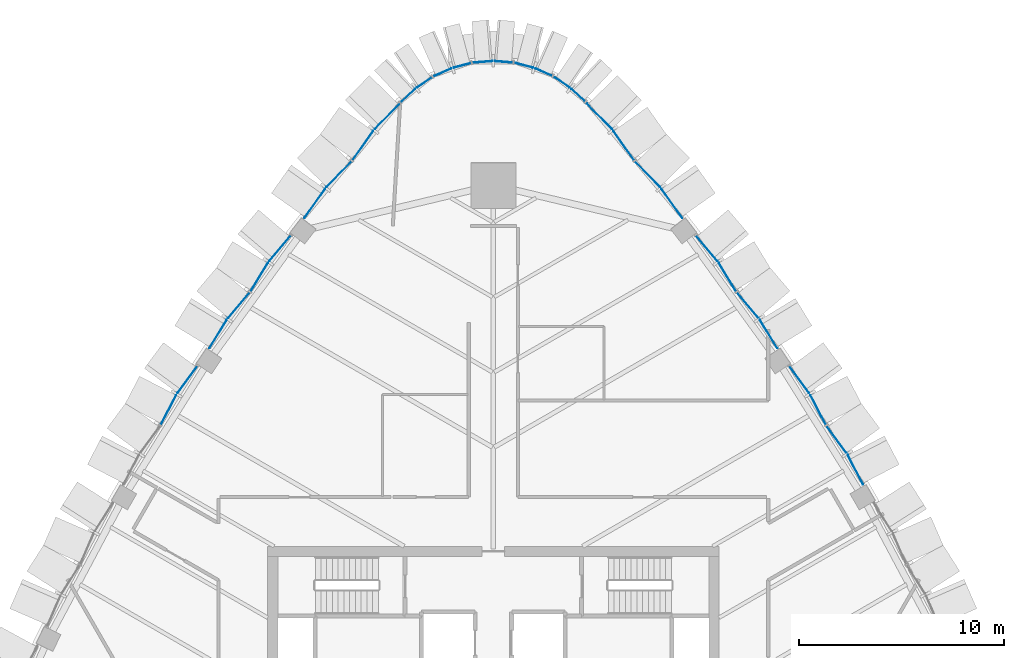
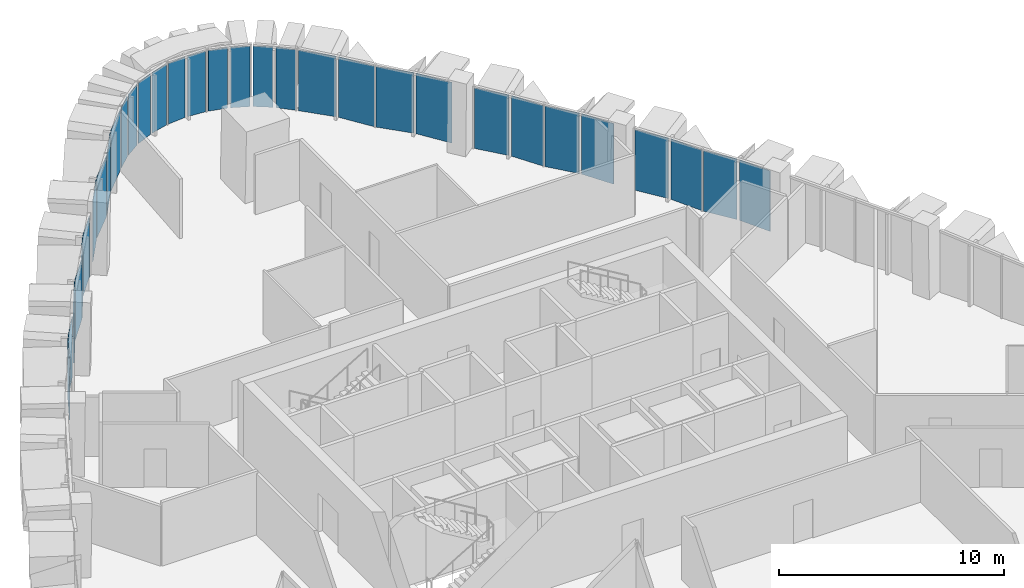
# One storey, part 11 of 19: 32 plates, 11 elements without a shape of their own.
"""IFC4 building model written with IfcOpenShell, lengths in metres."""

from ifc_helpers import new_model, si_unit, direction, frame, origin, place, context, subcontext, project, spatial, polyline, outline, extrude, material, layer, layer_set, type_object, element, aggregate, save


model = new_model("IFC4")

# Units and contexts
model_context = context("Model", 3, precision=1e-05, world=origin(), true_north=direction((0.0, 1.0)))
body_context = subcontext(model_context, "Body", "Model", "MODEL_VIEW")
ifc_project = project(units=[si_unit("LENGTHUNIT", "METRE"), si_unit("AREAUNIT", "SQUARE_METRE"), si_unit("VOLUMEUNIT", "CUBIC_METRE"), si_unit("PLANEANGLEUNIT", "RADIAN"), si_unit("MASSUNIT", "GRAM", prefix="KILO")], contexts=[model_context])

# Site, building, storey
site_placement = place(None, origin())
site = spatial("IfcSite", under=ifc_project, at=site_placement, CompositionType="ELEMENT")
building_placement = place(site_placement, origin())
building = spatial("IfcBuilding", under=site, at=building_placement, Name="Sierra Prisma Convention Tower", CompositionType="ELEMENT")
storey_placement = place(building_placement, frame((0.0, 0.0, 235.0)))
storey = spatial("IfcBuildingStorey", under=building, at=storey_placement, Name="L52", CompositionType="ELEMENT", Elevation=235.0)

# Curtain wall, plates
ifc_material_1 = material(Name="Aluminium and glass curtain wall", Category="aluminium")
ifc_layer_1 = layer(ifc_material_1, 0.179931640625)
ifc_layer_set_1 = layer_set([ifc_layer_1], Name="CW-2 Faceted crystal curtain wall")
curtain_wall_type = type_object("IfcCurtainWallType", Name="CW-2 Faceted crystal curtain wall", PredefinedType="NOTDEFINED", material=ifc_layer_set_1)
curtain_wall_1_placement = place(storey_placement, origin())
curtain_wall_1 = element("IfcCurtainWall", 1, at=curtain_wall_1_placement, inside=storey, type_object=curtain_wall_type, Name="CW-2 NE4 L52", PredefinedType="NOTDEFINED")
ifc_material_2 = material(Name="Tinted glass bronze-grey IGU", Category="glass")
ifc_layer_2 = layer(ifc_material_2, 0.028076171875)
ifc_layer_set_2 = layer_set([ifc_layer_2], Name="CW-2 crystal pane")
plate_type = type_object("IfcPlateType", Name="CW-2 crystal pane", PredefinedType="CURTAIN_PANEL", material=ifc_layer_set_2)
plate_1_placement = place(storey_placement, frame((18.038818359375, 11.014892578125, 0.0), z_axis=(0.887374269945, 0.461049785858, 0.0), x_axis=(-0.461049785858, 0.887374269945, 0.0)))
plate_1 = element("IfcPlate", 2, at=plate_1_placement, type_object=plate_type, Name="CW-2 pane NE4.1.1", PredefinedType="CURTAIN_PANEL", context=body_context, shape_type="SweptSolid", body=[
    extrude(outline(polyline([(0.0, 0.0), (1.6240747091580545, 0.0), (1.6240747091580545, 3.280029296875), (0.0, 3.280029296875), (0.0, 0.0)])), origin(), (0.0, 0.0, -1.0), 0.028076171875),
])
plate_2_placement = place(storey_placement, frame((16.25634765625, 13.872314453125, 0.0), z_axis=(0.804326061588, 0.594188174445, 0.0), x_axis=(0.594188174445, -0.804326061588, 0.0)))
plate_2 = element("IfcPlate", 3, at=plate_2_placement, type_object=plate_type, Name="CW-2 pane NE4.1.2", PredefinedType="CURTAIN_PANEL", context=body_context, shape_type="SweptSolid", body=[
    extrude(outline(polyline([(0.0, 0.0), (1.6242125510592422, 0.0), (1.6242125510592422, -3.280029296875), (0.0, -3.280029296875), (0.0, 0.0)])), origin(), (0.0, 0.0, -1.0), 0.028076171875),
])
plate_3_placement = place(storey_placement, frame((16.219482421875, 13.931640625, 0.0), z_axis=(0.887374269945, 0.461049785858, 0.0), x_axis=(-0.461049785858, 0.887374269945, 0.0)))
plate_3 = element("IfcPlate", 4, at=plate_3_placement, type_object=plate_type, Name="CW-2 pane NE4.2.1", PredefinedType="CURTAIN_PANEL", context=body_context, shape_type="SweptSolid", body=[
    extrude(outline(polyline([(0.0, 0.0), (1.6240747091580545, 0.0), (1.6240747091580545, 3.280029296875), (0.0, 3.280029296875), (0.0, 0.0)])), origin(), (0.0, 0.0, -1.0), 0.028076171875),
])
plate_4_placement = place(storey_placement, frame((14.43701171875, 16.7890625, 0.0), z_axis=(0.804326061588, 0.594188174445, 0.0), x_axis=(0.594188174445, -0.804326061588, 0.0)))
plate_4 = element("IfcPlate", 5, at=plate_4_placement, type_object=plate_type, Name="CW-2 pane NE4.2.2", PredefinedType="CURTAIN_PANEL", context=body_context, shape_type="SweptSolid", body=[
    extrude(outline(polyline([(0.0, 0.0), (1.6242125510592422, 0.0), (1.6242125510592422, -3.280029296875), (0.0, -3.280029296875), (0.0, 0.0)])), origin(), (0.0, 0.0, -1.0), 0.028076171875),
])
aggregate(curtain_wall_1, [plate_1, plate_2, plate_3, plate_4])

curtain_wall_2_placement = place(storey_placement, origin())
curtain_wall_2 = element("IfcCurtainWall", 6, at=curtain_wall_2_placement, inside=storey, type_object=curtain_wall_type, Name="CW-2 NE5 L52", PredefinedType="NOTDEFINED")
plate_5_placement = place(storey_placement, frame((13.850830078125, 17.661865234375, 0.0), z_axis=(0.853968060883, 0.52032542797, 0.0), x_axis=(-0.52032542797, 0.853968060883, 0.0)))
plate_5 = element("IfcPlate", 7, at=plate_5_placement, type_object=plate_type, Name="CW-2 pane NE5.1.1", PredefinedType="CURTAIN_PANEL", context=body_context, shape_type="SweptSolid", body=[
    extrude(outline(polyline([(0.0, 0.0), (1.6164200477509016, 0.0), (1.6164200477509016, 3.280029296875), (0.0, 3.280029296875), (0.0, 0.0)])), origin(), (0.0, 0.0, -1.0), 0.028076171875),
])
plate_6_placement = place(storey_placement, frame((11.886962890625, 20.37890625, 0.0), z_axis=(0.761957949876, 0.64762649932, 0.0), x_axis=(0.64762649932, -0.761957949876, 0.0)))
plate_6 = element("IfcPlate", 8, at=plate_6_placement, type_object=plate_type, Name="CW-2 pane NE5.1.2", PredefinedType="CURTAIN_PANEL", context=body_context, shape_type="SweptSolid", body=[
    extrude(outline(polyline([(0.0, 0.0), (1.6164795620620638, 0.0), (1.6164795620620638, -3.280029296875), (0.0, -3.280029296875), (0.0, 0.0)])), origin(), (0.0, 0.0, -1.0), 0.028076171875),
])
plate_7_placement = place(storey_placement, frame((11.845947265625, 20.435546875, 0.0), z_axis=(0.853900946696, 0.520435561075, 0.0), x_axis=(-0.520435561075, 0.853900946696, 0.0)))
plate_7 = element("IfcPlate", 9, at=plate_7_placement, type_object=plate_type, Name="CW-2 pane NE5.2.1", PredefinedType="CURTAIN_PANEL", context=body_context, shape_type="SweptSolid", body=[
    extrude(outline(polyline([(0.0, 0.0), (1.6165470937706001, 0.0), (1.6165470937706001, 3.280029296875), (0.0, 3.280029296875), (0.0, 0.0)])), origin(), (0.0, 0.0, -1.0), 0.028076171875),
])
plate_8_placement = place(storey_placement, frame((9.882080078125, 23.152587890625, 0.0), z_axis=(0.762032481146, 0.647538800133, 0.0), x_axis=(0.647538800133, -0.762032481146, 0.0)))
plate_8 = element("IfcPlate", 10, at=plate_8_placement, type_object=plate_type, Name="CW-2 pane NE5.2.2", PredefinedType="CURTAIN_PANEL", context=body_context, shape_type="SweptSolid", body=[
    extrude(outline(polyline([(0.0, 0.0), (1.6163214608286967, 0.0), (1.6163214608286967, -3.280029296875), (0.0, -3.280029296875), (0.0, 0.0)])), origin(), (0.0, 0.0, -1.0), 0.028076171875),
])
aggregate(curtain_wall_2, [plate_5, plate_6, plate_7, plate_8])

curtain_wall_3_placement = place(storey_placement, origin())
curtain_wall_3 = element("IfcCurtainWall", 11, at=curtain_wall_3_placement, inside=storey, type_object=curtain_wall_type, Name="CW-2 NE6 L52", PredefinedType="NOTDEFINED")
plate_9_placement = place(storey_placement, frame((9.219970703125, 24.008056640625, 0.0), z_axis=(0.816473718408, 0.577382600318, 0.0), x_axis=(-0.577382600318, 0.816473718408, 0.0)))
plate_9 = element("IfcPlate", 12, at=plate_9_placement, type_object=plate_type, Name="CW-2 pane NE6.1.1", PredefinedType="CURTAIN_PANEL", context=body_context, shape_type="SweptSolid", body=[
    extrude(outline(polyline([(0.0, 0.0), (1.7399877850882073, 0.0), (1.7399877850882073, 3.280029296875), (0.0, 3.280029296875), (0.0, 0.0)])), origin(), (0.0, 0.0, -1.0), 0.028076171875),
])
plate_10_placement = place(storey_placement, frame((6.91796875, 26.774169921875, 0.0), z_axis=(0.716100084825, 0.697997613545, 0.0), x_axis=(0.697997613545, -0.716100084825, 0.0)))
plate_10 = element("IfcPlate", 13, at=plate_10_placement, type_object=plate_type, Name="CW-2 pane NE6.1.2", PredefinedType="CURTAIN_PANEL", context=body_context, shape_type="SweptSolid", body=[
    extrude(outline(polyline([(0.0, 0.0), (1.7397702301346785, 0.0), (1.7397702301346785, -3.280029296875), (0.0, -3.280029296875), (0.0, 0.0)])), origin(), (0.0, 0.0, -1.0), 0.028076171875),
])
plate_11_placement = place(storey_placement, frame((6.873046875, 26.828125, 0.0), z_axis=(0.816426934567, 0.577448751417, 0.0), x_axis=(-0.577448751417, 0.816426934567, 0.0)))
plate_11 = element("IfcPlate", 14, at=plate_11_placement, type_object=plate_type, Name="CW-2 pane NE6.2.1", PredefinedType="CURTAIN_PANEL", context=body_context, shape_type="SweptSolid", body=[
    extrude(outline(polyline([(0.0, 0.0), (1.73978845639489, 0.0), (1.73978845639489, 3.280029296875001), (0.0, 3.280029296875001), (0.0, 0.0)])), origin(), (0.0, 0.0, -1.0), 0.028076171875),
])
plate_12_placement = place(storey_placement, frame((4.571044921875, 29.59423828125, 0.0), z_axis=(0.716098312047, 0.697999432295, 0.0), x_axis=(0.697999432295, -0.716098312047, 0.0)))
plate_12 = element("IfcPlate", 15, at=plate_12_placement, type_object=plate_type, Name="CW-2 pane NE6.2.2", PredefinedType="CURTAIN_PANEL", context=body_context, shape_type="SweptSolid", body=[
    extrude(outline(polyline([(0.0, 0.0), (1.7401154688361817, 0.0), (1.7401154688361817, -3.280029296875), (0.0, -3.280029296875), (0.0, 0.0)])), origin(), (0.0, 0.0, -1.0), 0.028076171875),
])
aggregate(curtain_wall_3, [plate_9, plate_10, plate_11, plate_12])

curtain_wall_4_placement = place(storey_placement, origin())
curtain_wall_4 = element("IfcCurtainWall", 16, at=curtain_wall_4_placement, inside=storey, type_object=curtain_wall_type, Name="CW-2 N1 L52", PredefinedType="NOTDEFINED")
plate_13_placement = place(storey_placement, frame((4.4716796875, 29.691650390625, 0.0), z_axis=(0.683555646709, 0.729898402418, 0.0), x_axis=(-0.729898402418, 0.683555646709, 0.0)))
plate_13 = element("IfcPlate", 17, at=plate_13_placement, type_object=plate_type, Name="CW-2 pane N1.1.1", PredefinedType="CURTAIN_PANEL", context=body_context, shape_type="SweptSolid", body=[
    extrude(outline(polyline([(0.0, 0.0), (0.885049332359066, 0.0), (0.885049332359066, 3.2800292968749996), (0.0, 3.2800292968749996), (0.0, 0.0)])), origin(), (0.0, 0.0, -1.0), 0.028076171875),
])
plate_14_placement = place(storey_placement, frame((2.99169921875, 30.8740234375, 0.0), z_axis=(0.560860345142, 0.827910425859, 0.0), x_axis=(0.827910425859, -0.560860345142, 0.0)))
plate_14 = element("IfcPlate", 18, at=plate_14_placement, type_object=plate_type, Name="CW-2 pane N1.1.2", PredefinedType="CURTAIN_PANEL", context=body_context, shape_type="SweptSolid", body=[
    extrude(outline(polyline([(0.0, 0.0), (0.8849580736520162, 0.0), (0.8849580736520162, -3.280029296875), (0.0, -3.280029296875), (0.0, 0.0)])), origin(), (0.0, 0.0, -1.0), 0.028076171875),
])
aggregate(curtain_wall_4, [plate_13, plate_14])

curtain_wall_5_placement = place(storey_placement, origin())
curtain_wall_5 = element("IfcCurtainWall", 19, at=curtain_wall_5_placement, inside=storey, type_object=curtain_wall_type, Name="CW-2 N2 L52", PredefinedType="NOTDEFINED")
plate_15_placement = place(storey_placement, frame((2.870849609375, 30.94091796875, 0.0), z_axis=(0.403884706353, 0.914809894991, 0.0), x_axis=(-0.914809894991, 0.403884706353, 0.0)))
plate_15 = element("IfcPlate", 20, at=plate_15_placement, type_object=plate_type, Name="CW-2 pane N2.1.1", PredefinedType="CURTAIN_PANEL", context=body_context, shape_type="SweptSolid", body=[
    extrude(outline(polyline([(0.0, 0.0), (0.8849601615947824, 0.0), (0.8849601615947824, 3.280029296875001), (0.0, 3.280029296875001), (0.0, 0.0)])), origin(), (0.0, 0.0, -1.0), 0.028076171875),
])
plate_16_placement = place(storey_placement, frame((1.083251953125, 31.5673828125, 0.0), z_axis=(0.255687861407, 0.966759389677, 0.0), x_axis=(0.966759389677, -0.255687861407, 0.0)))
plate_16 = element("IfcPlate", 21, at=plate_16_placement, type_object=plate_type, Name="CW-2 pane N2.1.2", PredefinedType="CURTAIN_PANEL", context=body_context, shape_type="SweptSolid", body=[
    extrude(outline(polyline([(0.0, 0.0), (0.8851353291853088, 0.0), (0.8851353291853088, -3.280029296875), (0.0, -3.280029296875), (0.0, 0.0)])), origin(), (0.0, 0.0, -1.0), 0.028076171875),
])
aggregate(curtain_wall_5, [plate_15, plate_16])

curtain_wall_6_placement = place(storey_placement, origin())
curtain_wall_6 = element("IfcCurtainWall", 22, at=curtain_wall_6_placement, inside=storey, type_object=curtain_wall_type, Name="CW-2 N3 L52", PredefinedType="NOTDEFINED")
plate_17_placement = place(storey_placement, frame((0.947265625, 31.590576171875, 0.0), z_axis=(0.078320227909, 0.996928253136, 0.0), x_axis=(-0.996928253136, 0.078320227909, 0.0)))
plate_17 = element("IfcPlate", 23, at=plate_17_placement, type_object=plate_type, Name="CW-2 pane N3.1.1", PredefinedType="CURTAIN_PANEL", context=body_context, shape_type="SweptSolid", body=[
    extrude(outline(polyline([(0.0, 0.0), (0.8852877392118809, 0.0), (0.8852877392118809, 3.2800292968749996), (0.0, 3.2800292968749996), (0.0, 0.0)])), origin(), (0.0, 0.0, -1.0), 0.028076171875),
])
plate_18_placement = place(storey_placement, frame((-0.947265625, 31.590576171875, 0.0), z_axis=(-0.078320227909, 0.996928253136, 0.0), x_axis=(0.996928253136, 0.078320227909, 0.0)))
plate_18 = element("IfcPlate", 24, at=plate_18_placement, type_object=plate_type, Name="CW-2 pane N3.1.2", PredefinedType="CURTAIN_PANEL", context=body_context, shape_type="SweptSolid", body=[
    extrude(outline(polyline([(0.0, 0.0), (0.8852877392118809, 0.0), (0.8852877392118809, -3.2800292968749996), (0.0, -3.2800292968749996), (0.0, 0.0)])), origin(), (0.0, 0.0, -1.0), 0.028076171875),
])
aggregate(curtain_wall_6, [plate_17, plate_18])

curtain_wall_7_placement = place(storey_placement, origin())
curtain_wall_7 = element("IfcCurtainWall", 25, at=curtain_wall_7_placement, inside=storey, type_object=curtain_wall_type, Name="CW-2 N4 L52", PredefinedType="NOTDEFINED")
plate_19_placement = place(storey_placement, frame((-1.083251953125, 31.5673828125, 0.0), z_axis=(-0.255687861407, 0.966759389677, 0.0), x_axis=(-0.966759389677, -0.255687861407, 0.0)))
plate_19 = element("IfcPlate", 26, at=plate_19_placement, type_object=plate_type, Name="CW-2 pane N4.1.1", PredefinedType="CURTAIN_PANEL", context=body_context, shape_type="SweptSolid", body=[
    extrude(outline(polyline([(0.0, 0.0), (0.8851353291853088, 0.0), (0.8851353291853088, 3.280029296875), (0.0, 3.280029296875), (0.0, 0.0)])), origin(), (0.0, 0.0, -1.0), 0.028076171875),
])
plate_20_placement = place(storey_placement, frame((-2.870849609375, 30.94091796875, 0.0), z_axis=(-0.403884706353, 0.914809894991, 0.0), x_axis=(0.914809894991, 0.403884706353, 0.0)))
plate_20 = element("IfcPlate", 27, at=plate_20_placement, type_object=plate_type, Name="CW-2 pane N4.1.2", PredefinedType="CURTAIN_PANEL", context=body_context, shape_type="SweptSolid", body=[
    extrude(outline(polyline([(0.0, 0.0), (0.8849601615947824, 0.0), (0.8849601615947824, -3.280029296875001), (0.0, -3.280029296875001), (0.0, 0.0)])), origin(), (0.0, 0.0, -1.0), 0.028076171875),
])
aggregate(curtain_wall_7, [plate_19, plate_20])

curtain_wall_8_placement = place(storey_placement, origin())
curtain_wall_8 = element("IfcCurtainWall", 28, at=curtain_wall_8_placement, inside=storey, type_object=curtain_wall_type, Name="CW-2 N5 L52", PredefinedType="NOTDEFINED")
plate_21_placement = place(storey_placement, frame((-2.99169921875, 30.8740234375, 0.0), z_axis=(-0.560860345142, 0.827910425859, 0.0), x_axis=(-0.827910425859, -0.560860345142, 0.0)))
plate_21 = element("IfcPlate", 29, at=plate_21_placement, type_object=plate_type, Name="CW-2 pane N5.1.1", PredefinedType="CURTAIN_PANEL", context=body_context, shape_type="SweptSolid", body=[
    extrude(outline(polyline([(0.0, 0.0), (0.8849580736520162, 0.0), (0.8849580736520162, 3.280029296875), (0.0, 3.280029296875), (0.0, 0.0)])), origin(), (0.0, 0.0, -1.0), 0.028076171875),
])
plate_22_placement = place(storey_placement, frame((-4.4716796875, 29.691650390625, 0.0), z_axis=(-0.683555646709, 0.729898402418, 0.0), x_axis=(0.729898402418, 0.683555646709, 0.0)))
plate_22 = element("IfcPlate", 30, at=plate_22_placement, type_object=plate_type, Name="CW-2 pane N5.1.2", PredefinedType="CURTAIN_PANEL", context=body_context, shape_type="SweptSolid", body=[
    extrude(outline(polyline([(0.0, 0.0), (0.885049332359066, 0.0), (0.885049332359066, -3.2800292968749996), (0.0, -3.2800292968749996), (0.0, 0.0)])), origin(), (0.0, 0.0, -1.0), 0.028076171875),
])
aggregate(curtain_wall_8, [plate_21, plate_22])

curtain_wall_9_placement = place(storey_placement, origin())
curtain_wall_9 = element("IfcCurtainWall", 31, at=curtain_wall_9_placement, inside=storey, type_object=curtain_wall_type, Name="CW-2 NW1 L52", PredefinedType="NOTDEFINED")
plate_23_placement = place(storey_placement, frame((-4.571044921875, 29.59423828125, 0.0), z_axis=(-0.716098312047, 0.697999432295, 0.0), x_axis=(-0.697999432295, -0.716098312047, 0.0)))
plate_23 = element("IfcPlate", 32, at=plate_23_placement, type_object=plate_type, Name="CW-2 pane NW1.1.1", PredefinedType="CURTAIN_PANEL", context=body_context, shape_type="SweptSolid", body=[
    extrude(outline(polyline([(0.0, 0.0), (1.7401154688361817, 0.0), (1.7401154688361817, 3.280029296875), (0.0, 3.280029296875), (0.0, 0.0)])), origin(), (0.0, 0.0, -1.0), 0.028076171875),
])
plate_24_placement = place(storey_placement, frame((-6.873046875, 26.828125, 0.0), z_axis=(-0.816426934567, 0.577448751417, 0.0), x_axis=(0.577448751417, 0.816426934567, 0.0)))
plate_24 = element("IfcPlate", 33, at=plate_24_placement, type_object=plate_type, Name="CW-2 pane NW1.1.2", PredefinedType="CURTAIN_PANEL", context=body_context, shape_type="SweptSolid", body=[
    extrude(outline(polyline([(0.0, 0.0), (1.73978845639489, 0.0), (1.73978845639489, -3.280029296875001), (0.0, -3.280029296875001), (0.0, 0.0)])), origin(), (0.0, 0.0, -1.0), 0.028076171875),
])
plate_25_placement = place(storey_placement, frame((-6.91796875, 26.774169921875, 0.0), z_axis=(-0.716100084825, 0.697997613545, 0.0), x_axis=(-0.697997613545, -0.716100084825, 0.0)))
plate_25 = element("IfcPlate", 34, at=plate_25_placement, type_object=plate_type, Name="CW-2 pane NW1.2.1", PredefinedType="CURTAIN_PANEL", context=body_context, shape_type="SweptSolid", body=[
    extrude(outline(polyline([(0.0, 0.0), (1.7397702301346785, 0.0), (1.7397702301346785, 3.280029296875), (0.0, 3.280029296875), (0.0, 0.0)])), origin(), (0.0, 0.0, -1.0), 0.028076171875),
])
plate_26_placement = place(storey_placement, frame((-9.219970703125, 24.008056640625, 0.0), z_axis=(-0.816473718408, 0.577382600318, 0.0), x_axis=(0.577382600318, 0.816473718408, 0.0)))
plate_26 = element("IfcPlate", 35, at=plate_26_placement, type_object=plate_type, Name="CW-2 pane NW1.2.2", PredefinedType="CURTAIN_PANEL", context=body_context, shape_type="SweptSolid", body=[
    extrude(outline(polyline([(0.0, 0.0), (1.7399877850882073, 0.0), (1.7399877850882073, -3.280029296875), (0.0, -3.280029296875), (0.0, 0.0)])), origin(), (0.0, 0.0, -1.0), 0.028076171875),
])
aggregate(curtain_wall_9, [plate_23, plate_24, plate_25, plate_26])

curtain_wall_10_placement = place(storey_placement, origin())
curtain_wall_10 = element("IfcCurtainWall", 36, at=curtain_wall_10_placement, inside=storey, type_object=curtain_wall_type, Name="CW-2 NW2 L52", PredefinedType="NOTDEFINED")
plate_27_placement = place(storey_placement, frame((-9.883056640625, 23.151123046875, 0.0), z_axis=(-0.761905767357, 0.647687889086, 0.0), x_axis=(-0.647687889086, -0.761905767357, 0.0)))
plate_27 = element("IfcPlate", 37, at=plate_27_placement, type_object=plate_type, Name="CW-2 pane NW2.1.1", PredefinedType="CURTAIN_PANEL", context=body_context, shape_type="SweptSolid", body=[
    extrude(outline(polyline([(0.0, 0.0), (1.615949405588685, 0.0), (1.615949405588685, 3.280029296875), (0.0, 3.280029296875), (0.0, 0.0)])), origin(), (0.0, 0.0, -1.0), 0.028076171875),
])
plate_28_placement = place(storey_placement, frame((-11.846435546875, 20.434814453125, 0.0), z_axis=(-0.85395338442, 0.520349514498, 0.0), x_axis=(0.520349514498, 0.85395338442, 0.0)))
plate_28 = element("IfcPlate", 38, at=plate_28_placement, type_object=plate_type, Name="CW-2 pane NW2.1.2", PredefinedType="CURTAIN_PANEL", context=body_context, shape_type="SweptSolid", body=[
    extrude(outline(polyline([(0.0, 0.0), (1.6158760392262486, 0.0), (1.6158760392262486, -3.280029296875), (0.0, -3.280029296875), (0.0, 0.0)])), origin(), (0.0, 0.0, -1.0), 0.028076171875),
])
plate_29_placement = place(storey_placement, frame((-11.887451171875, 20.378173828125, 0.0), z_axis=(-0.761969135191, 0.647613339128, 0.0), x_axis=(-0.647613339128, -0.761969135191, 0.0)))
plate_29 = element("IfcPlate", 39, at=plate_29_placement, type_object=plate_type, Name="CW-2 pane NW2.2.1", PredefinedType="CURTAIN_PANEL", context=body_context, shape_type="SweptSolid", body=[
    extrude(outline(polyline([(0.0, 0.0), (1.616135425474695, 0.0), (1.616135425474695, 3.280029296875), (0.0, 3.280029296875), (0.0, 0.0)])), origin(), (0.0, 0.0, -1.0), 0.028076171875),
])
plate_30_placement = place(storey_placement, frame((-13.850830078125, 17.661865234375, 0.0), z_axis=(-0.85395338442, 0.520349514498, 0.0), x_axis=(0.520349514498, 0.85395338442, 0.0)))
plate_30 = element("IfcPlate", 40, at=plate_30_placement, type_object=plate_type, Name="CW-2 pane NW2.2.2", PredefinedType="CURTAIN_PANEL", context=body_context, shape_type="SweptSolid", body=[
    extrude(outline(polyline([(0.0, 0.0), (1.6158760392262486, 0.0), (1.6158760392262486, -3.280029296875), (0.0, -3.280029296875), (0.0, 0.0)])), origin(), (0.0, 0.0, -1.0), 0.028076171875),
])
aggregate(curtain_wall_10, [plate_27, plate_28, plate_29, plate_30])

curtain_wall_11_placement = place(storey_placement, origin())
curtain_wall_11 = element("IfcCurtainWall", 41, at=curtain_wall_11_placement, inside=storey, type_object=curtain_wall_type, Name="CW-2 NW3 L52", PredefinedType="NOTDEFINED")
plate_31_placement = place(storey_placement, frame((-14.437255859375, 16.788818359375, 0.0), z_axis=(-0.804344833459, 0.594162762959, 0.0), x_axis=(-0.594162762959, -0.804344833459, 0.0)))
plate_31 = element("IfcPlate", 42, at=plate_31_placement, type_object=plate_type, Name="CW-2 pane NW3.1.1", PredefinedType="CURTAIN_PANEL", context=body_context, shape_type="SweptSolid", body=[
    extrude(outline(polyline([(0.0, 0.0), (1.6238711177300005, 0.0), (1.6238711177300005, 3.280029296875), (0.0, 3.280029296875), (0.0, 0.0)])), origin(), (0.0, 0.0, -1.0), 0.028076171875),
])
plate_32_placement = place(storey_placement, frame((-16.219482421875, 13.931396484375, 0.0), z_axis=(-0.887374269945, 0.461049785858, 0.0), x_axis=(0.461049785858, 0.887374269945, 0.0)))
plate_32 = element("IfcPlate", 43, at=plate_32_placement, type_object=plate_type, Name="CW-2 pane NW3.1.2", PredefinedType="CURTAIN_PANEL", context=body_context, shape_type="SweptSolid", body=[
    extrude(outline(polyline([(0.0, 0.0), (1.6240747091580545, 0.0), (1.6240747091580545, -3.280029296875), (0.0, -3.280029296875), (0.0, 0.0)])), origin(), (0.0, 0.0, -1.0), 0.028076171875),
])
aggregate(curtain_wall_11, [plate_31, plate_32])

save(model, "model.ifc")
